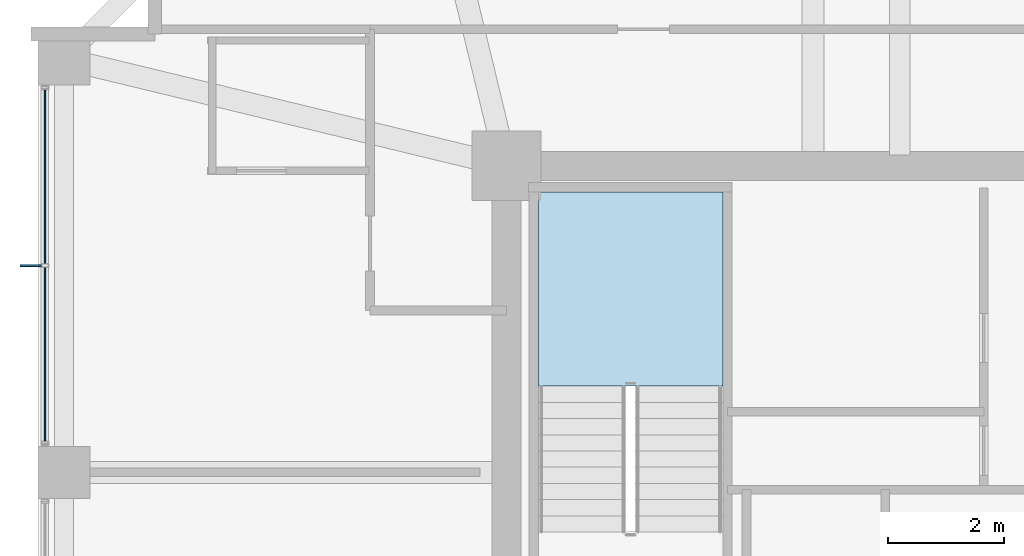
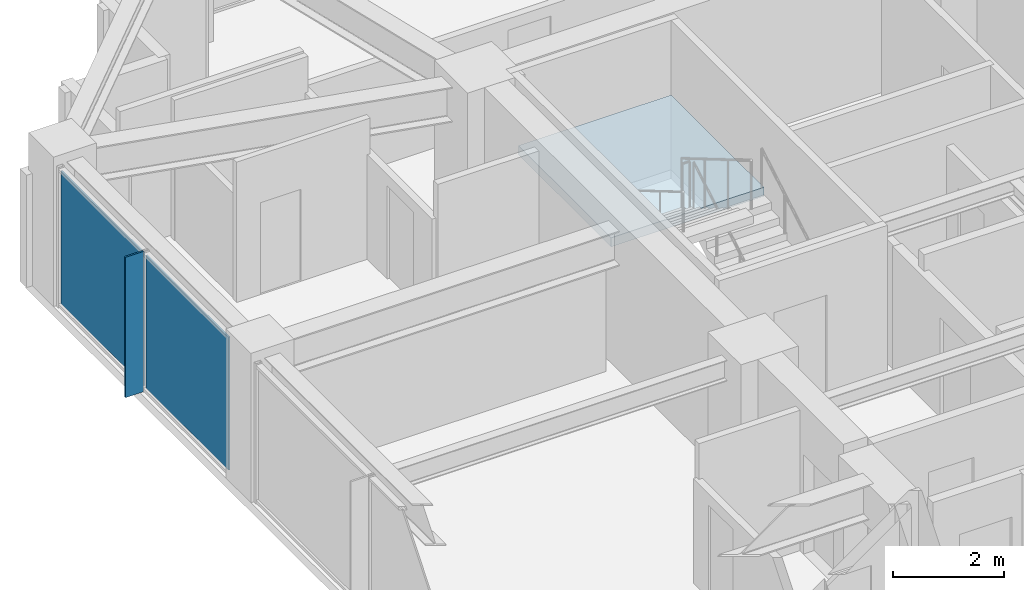
# One storey, part 23 of 31: 3 plates, 1 slab, 2 elements without a shape of their own.
"""IFC4 building model written with IfcOpenShell, lengths in metres."""

from ifc_helpers import new_model, si_unit, direction, frame, origin, origin_2d, place, context, subcontext, project, spatial, polyline, rectangle, outline, extrude, material, layer, layer_set, type_object, element, aggregate, save


model = new_model("IFC4")

# Units and contexts
model_context = context("Model", 3, precision=1e-05, world=origin(), true_north=direction((0.0, 1.0)))
body_context = subcontext(model_context, "Body", "Model", "MODEL_VIEW")
ifc_project = project(units=[si_unit("LENGTHUNIT", "METRE"), si_unit("AREAUNIT", "SQUARE_METRE"), si_unit("VOLUMEUNIT", "CUBIC_METRE"), si_unit("PLANEANGLEUNIT", "RADIAN"), si_unit("MASSUNIT", "GRAM", prefix="KILO")], contexts=[model_context])

# Site, building, storey
site_placement = place(None, origin())
site = spatial("IfcSite", under=ifc_project, at=site_placement, CompositionType="ELEMENT")
building_placement = place(site_placement, origin())
building = spatial("IfcBuilding", under=site, at=building_placement, Name="Kolvaren Belvedere", CompositionType="ELEMENT")
storey_placement = place(building_placement, frame((0.0, 0.0, 134.89990234375)))
storey = spatial("IfcBuildingStorey", under=building, at=storey_placement, Name="L39", CompositionType="ELEMENT", Elevation=134.89990234375)

# Curtain wall, plates
ifc_material_1 = material(Name="Anodised pale-metal aluminium AA 6063-T6", Category="aluminium")
curtain_wall_type = type_object("IfcCurtainWallType", Name="CW-Z3-WAIST", PredefinedType="NOTDEFINED", material=ifc_material_1)
curtain_wall_placement = place(storey_placement, origin())
curtain_wall = element("IfcCurtainWall", 1, at=curtain_wall_placement, inside=storey, type_object=curtain_wall_type, Name="L39 Unitised Curtain Wall FCW-L39-W-B3", PredefinedType="NOTDEFINED")
ifc_material_2 = material(Name="Low-iron triple insulated glass", Category="glass")
ifc_layer_1 = layer(ifc_material_2, 0.028076171875)
ifc_layer_set_1 = layer_set([ifc_layer_1], Name="Low-iron triple insulated glass")
plate_type_1 = type_object("IfcPlateType", Name="CW-PNL-VIS28", PredefinedType="CURTAIN_PANEL", material=ifc_layer_set_1)
plate_1_placement = place(storey_placement, frame((-17.8798828125, 6.638671875, 0.080078125), z_axis=(0.0, 0.0, 1.0), x_axis=(0.0, 1.0, 0.0)))
plate_1 = element("IfcPlate", 2, at=plate_1_placement, type_object=plate_type_1, Name="FCW-L39-W-B3 Vision Glazing Panel 1", PredefinedType="CURTAIN_PANEL", context=body_context, shape_type="SweptSolid", body=[
    extrude(rectangle(XDim=2.992431640625, YDim=0.028076171875, at=origin_2d()), origin(), (0.0, 0.0, 1.0), 2.93994140625),
])
plate_2_placement = place(storey_placement, frame((-17.8798828125, 9.711181640625, 0.080078125), z_axis=(0.0, 0.0, 1.0), x_axis=(0.0, 1.0, 0.0)))
plate_2 = element("IfcPlate", 3, at=plate_2_placement, type_object=plate_type_1, Name="FCW-L39-W-B3 Vision Glazing Panel 2", PredefinedType="CURTAIN_PANEL", context=body_context, shape_type="SweptSolid", body=[
    extrude(rectangle(XDim=2.992431640625, YDim=0.028076171875, at=origin_2d()), origin(), (0.0, 0.0, 1.0), 2.93994140625),
])
aggregate(curtain_wall, [plate_1, plate_2])

# Plate
ifc_material_3 = material(Name="Anodised pale-metal aluminium AA 6063-T6", Category="aluminium")
ifc_layer_2 = layer(ifc_material_3, 0.033935546875)
ifc_layer_set_2 = layer_set([ifc_layer_2], Name="Anodised pale-metal aluminium AA 6063-T6")
plate_type_2 = type_object("IfcPlateType", Name="FIN-VERT-380", PredefinedType="USERDEFINED", material=ifc_layer_set_2)
plate_3_placement = place(storey_placement, frame((-18.1201171875, 8.175048828125, 0.0), z_axis=(0.0, 0.0, 1.0), x_axis=(1.0, 0.0, 0.0)))
element("IfcPlate", 4, at=plate_3_placement, inside=storey, type_object=plate_type_2, Name="L39 Pale-Metal Vertical Shading Fin FCW-L39-W-B3-1", ObjectType="VERTICAL FIN", PredefinedType="USERDEFINED", context=body_context, shape_type="SweptSolid", body=[
    extrude(rectangle(XDim=0.3798828125, YDim=0.033935546875, at=origin_2d()), origin(), (0.0, 0.0, 1.0), 3.10009765625),
])

# Stair, slab
ifc_material_4 = material(Name="Concrete C50/60", Category="concrete")
stair_type = type_object("IfcStairType", Name="ST-CORE-1520", PredefinedType="HALF_TURN_STAIR", material=ifc_material_4)
stair_placement = place(storey_placement, origin())
stair = element("IfcStair", 5, at=stair_placement, inside=storey, type_object=stair_type, Name="L39 Protected Exit Stair ST-1", PredefinedType="HALF_TURN_STAIR")
ifc_material_5 = material(Name="Concrete C50/60", Category="concrete")
ifc_layer_3 = layer(ifc_material_5, 0.260009765625)
ifc_layer_set_3 = layer_set([ifc_layer_3], Name="Concrete C50/60")
slab_type = type_object("IfcSlabType", Name="SL-LAND-260", PredefinedType="LANDING", material=ifc_layer_set_3)
slab_placement = place(storey_placement, frame((0.0, 0.0, 1.4501953125)))
slab = element("IfcSlab", 6, at=slab_placement, type_object=slab_type, Name="ST-1 landing 1", PredefinedType="LANDING", context=body_context, shape_type="SweptSolid", body=[
    extrude(outline(polyline([(-6.159912109375, 6.090087890625), (-6.159912109375, 9.449951171875), (-9.35009765625, 9.449951171875), (-9.35009765625, 6.090087890625), (-6.159912109375, 6.090087890625)])), origin(), (0.0, 0.0, 1.0), 0.199951171875),
])
aggregate(stair, [slab])

save(model, "model.ifc")
